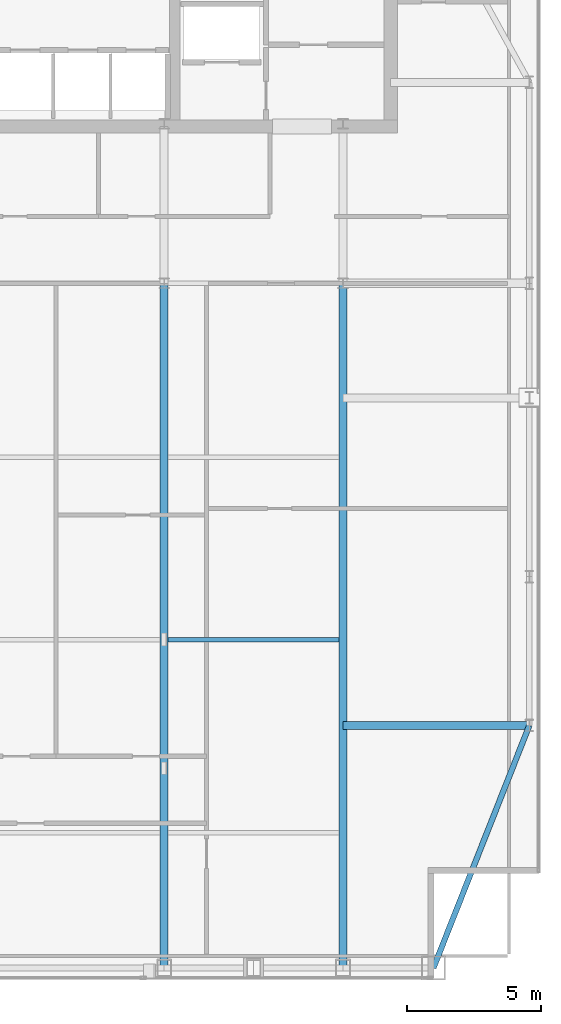
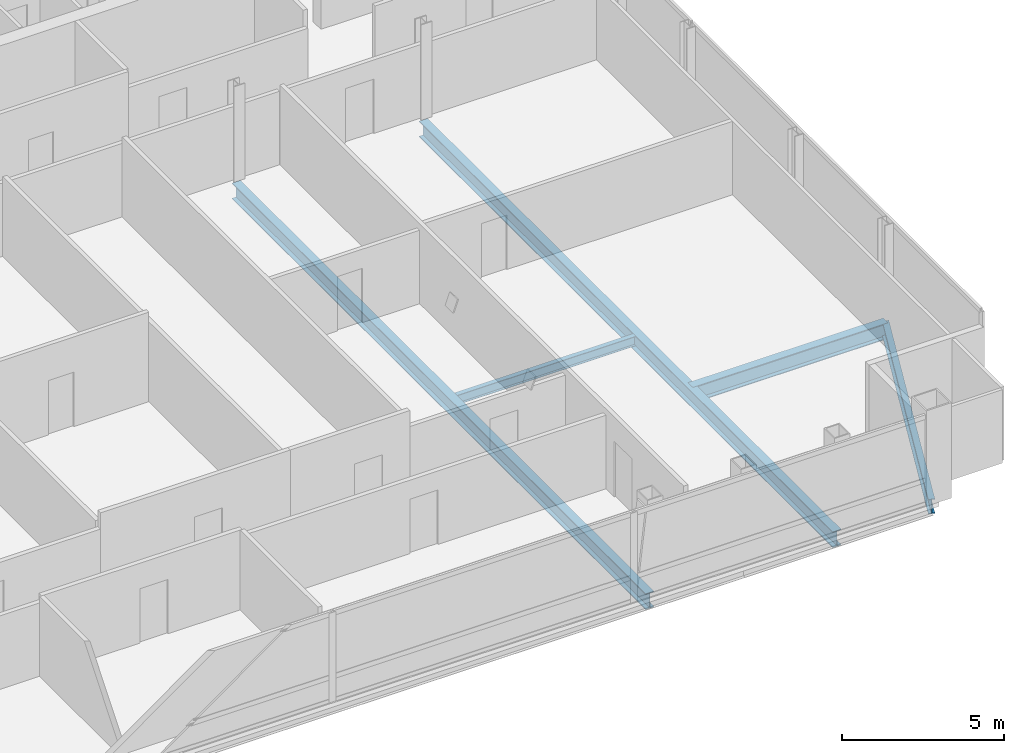
# One storey, part 11 of 24: 5 beams.
"""IFC4 building model written with IfcOpenShell, lengths in metres."""

import ifcopenshell
import ifcopenshell.guid

model = None  # the IFC model being written
_history = None  # IfcOwnerHistory: only IFC2X3 demands one
_inside = {}  # id of a spatial element -> (the spatial element, [elements in it])
_under = {}  # id of a project, library or spatial element -> (it, [spatial elements below it])
_declared = {}  # id of a project -> (the project, [libraries it declares])
_typed = {}  # id of a type object -> (the type object, [elements of that type])
_made_of = {}  # id of a material, layer set ... -> (it, [elements and type objects made of it])


def new_model(schema):
    """Start an empty IFC model of exactly this schema.

    Asked for "IFC4X3", IfcOpenShell would pick the latest addendum, in which some entities
    have other attributes; the version numbers below select the first issue.
    IFC2X3 requires an IfcOwnerHistory on every rooted entity: one is made here for all.
    """
    global model, _history
    if schema == "IFC4X3":
        model = ifcopenshell.file(schema_version=(4, 3, 0, 0))
    else:
        model = ifcopenshell.file(schema=schema)
    _inside.clear()
    _under.clear()
    _declared.clear()
    _typed.clear()
    _made_of.clear()
    _history = None
    if model.schema == "IFC2X3":
        org = make("IfcOrganization", Name="unknown")
        user = make(
            "IfcPersonAndOrganization",
            ThePerson=make("IfcPerson", FamilyName="unknown"),
            TheOrganization=org,
        )
        app = make(
            "IfcApplication",
            ApplicationDeveloper=org,
            Version="unknown",
            ApplicationFullName="unknown",
            ApplicationIdentifier="unknown",
        )
        _history = make(
            "IfcOwnerHistory",
            OwningUser=user,
            OwningApplication=app,
            ChangeAction="ADDED",
            CreationDate=0,
        )
    return model


def make(cls, **values):
    """One entity of the class cls with the attributes given. An attribute that is None is left unset."""
    return model.create_entity(
        cls, **{name: value for name, value in values.items() if value is not None}
    )


def rooted(cls, **values):
    """An entity with a GlobalId (a new one), such as an element, a storey or a relation."""
    return make(cls, GlobalId=ifcopenshell.guid.new(), OwnerHistory=_history, **values)


def si_unit(unit_type, name, prefix=None):
    """IfcSIUnit, for example si_unit("LENGTHUNIT", "METRE", prefix="MILLI")."""
    return make("IfcSIUnit", UnitType=unit_type, Prefix=prefix, Name=name)


def assignment(units):
    """IfcUnitAssignment: the units of a project."""
    return None if units is None else make("IfcUnitAssignment", Units=units)


def point(xyz):
    """IfcCartesianPoint."""
    return None if xyz is None else make("IfcCartesianPoint", Coordinates=xyz)


def direction(xyz):
    """IfcDirection."""
    return None if xyz is None else make("IfcDirection", DirectionRatios=xyz)


def frame(location, z_axis=None, x_axis=None):
    """IfcAxis2Placement3D, a coordinate frame: its origin and axes. An axis left out is left unset."""
    return make(
        "IfcAxis2Placement3D",
        Location=point(location),
        Axis=direction(z_axis),
        RefDirection=direction(x_axis),
    )


def frame_2d(location, x_axis=None):
    """IfcAxis2Placement2D, a coordinate frame in the plane: its origin and x axis."""
    return make(
        "IfcAxis2Placement2D", Location=point(location), RefDirection=direction(x_axis)
    )


def origin():
    """The frame at (0, 0, 0) with its axes left unset."""
    return frame((0.0, 0.0, 0.0))


def origin_2d():
    """The frame at (0, 0) in the plane with its x axis left unset."""
    return frame_2d((0.0, 0.0))


def place(relative_to, where):
    """IfcLocalPlacement: puts the frame where relative to a parent placement (None: the world)."""
    return make(
        "IfcLocalPlacement", PlacementRelTo=relative_to, RelativePlacement=where
    )


def context(
    kind, dimensions, precision=None, world=None, true_north=None, identifier=None
):
    """IfcGeometricRepresentationContext, for example the 3D "Model" context."""
    return make(
        "IfcGeometricRepresentationContext",
        ContextIdentifier=identifier,
        ContextType=kind,
        CoordinateSpaceDimension=dimensions,
        Precision=precision,
        WorldCoordinateSystem=world,
        TrueNorth=true_north,
    )


def subcontext(parent, identifier, kind, view, scale=None):
    """IfcGeometricRepresentationSubContext, for example "Body" below "Model"."""
    return make(
        "IfcGeometricRepresentationSubContext",
        ContextIdentifier=identifier,
        ContextType=kind,
        ParentContext=parent,
        TargetScale=scale,
        TargetView=view,
    )


def project(units=None, contexts=None):
    """IfcProject with its units and contexts."""
    return rooted(
        "IfcProject",
        Name="project",
        RepresentationContexts=contexts,
        UnitsInContext=assignment(units),
    )


def spatial(cls, under=None, at=None, **own):
    """A site, building, storey or space (cls), placed at a placement, below another one or the project."""
    s = rooted(cls, ObjectPlacement=at, **own)
    if under is not None:
        _under.setdefault(under.id(), (under, []))[1].append(s)
    return s


def profile(cls, at=None, kind="AREA", **sizes):
    """A parametric profile (cls). Its sizes go by their IFC names, for example OverallWidth=200.0."""
    return make(cls, ProfileType=kind, Position=at, **sizes)


def i_section(**sizes):
    """IfcIShapeProfileDef."""
    return profile("IfcIShapeProfileDef", **sizes)


def extrude(swept, where, along, depth):
    """IfcExtrudedAreaSolid: the profile swept, set in the frame where, extruded along a direction by depth."""
    return make(
        "IfcExtrudedAreaSolid",
        SweptArea=swept,
        Position=where,
        ExtrudedDirection=direction(along),
        Depth=depth,
    )


def shape(context_of_items, identifier, shape_type, items):
    """IfcShapeRepresentation: the items that make up one representation, for example the "Body"."""
    return make(
        "IfcShapeRepresentation",
        ContextOfItems=context_of_items,
        RepresentationIdentifier=identifier,
        RepresentationType=shape_type,
        Items=items,
    )


def material(Name=None, Category=None):
    """IfcMaterial."""
    return make("IfcMaterial", Name=Name, Category=Category)


def material_profile(
    of_material, cross_section, Name=None, Category=None, Priority=None
):
    """IfcMaterialProfile: a cross section and its material."""
    return make(
        "IfcMaterialProfile",
        Name=Name,
        Material=of_material,
        Profile=cross_section,
        Priority=Priority,
        Category=Category,
    )


def profile_set(profiles, Name=None, composite=None):
    """IfcMaterialProfileSet."""
    return make(
        "IfcMaterialProfileSet",
        Name=Name,
        MaterialProfiles=profiles,
        CompositeProfile=composite,
    )


def made_of(thing, what):
    """Note that an element or type object is made of a material, layer set ...; save() writes the relation."""
    if what is not None:
        _made_of.setdefault(what.id(), (what, []))[1].append(thing)
    return thing


def type_object(cls, material=None, **own):
    """A type object (cls), such as IfcWallType, which elements share."""
    return made_of(rooted(cls, **own), material)


def element(
    cls,
    number,
    at=None,
    inside=None,
    cuts=None,
    type_object=None,
    material=None,
    context=None,
    identifier="Body",
    shape_type=None,
    held_by="IfcProductDefinitionShape",
    body=None,
    shapes=None,
    **own,
):
    """One element of the class cls, such as IfcWall. Its Tag is "e" and its number.

    at: its placement. inside: the storey or other place that contains it. cuts: it is an
    opening in that element (IfcRelVoidsElement). A single representation is given by context,
    identifier, shape_type and body (its items); several are given by shapes. held_by: the class
    of the entity that holds the representations. save() writes the other relations.
    """
    e = rooted(cls, Tag="e%d" % number, ObjectPlacement=at, **own)
    if body is not None:
        shapes = [shape(context, identifier, shape_type, body)]
    if shapes is not None:
        e.Representation = make(held_by, Representations=shapes)
    if inside is not None:
        _inside.setdefault(inside.id(), (inside, []))[1].append(e)
    if cuts is not None:
        rooted(
            "IfcRelVoidsElement", RelatingBuildingElement=cuts, RelatedOpeningElement=e
        )
    if type_object is not None:
        _typed.setdefault(type_object.id(), (type_object, []))[1].append(e)
    return made_of(e, material)


def aggregate(whole, parts):
    """IfcRelAggregates: a whole, such as a stair, and the parts it consists of."""
    return rooted("IfcRelAggregates", RelatingObject=whole, RelatedObjects=parts)


def save(model, path):
    """Write the relations noted so far, then the file.

    IfcRelAggregates (storeys below a building ...), IfcRelContainedInSpatialStructure (elements
    in a storey), IfcRelDefinesByType, IfcRelAssociatesMaterial and IfcRelDeclares: one each for
    every whole, place, type object, material and project.
    """
    for whole, parts in _under.values():
        aggregate(whole, parts)
    for where, things in _inside.values():
        rooted(
            "IfcRelContainedInSpatialStructure",
            RelatedElements=things,
            RelatingStructure=where,
        )
    for kind, things in _typed.values():
        rooted("IfcRelDefinesByType", RelatedObjects=things, RelatingType=kind)
    for what, things in _made_of.values():
        rooted("IfcRelAssociatesMaterial", RelatedObjects=things, RelatingMaterial=what)
    for by, libraries in _declared.values():
        rooted("IfcRelDeclares", RelatingContext=by, RelatedDefinitions=libraries)
    model.write(path)


model = new_model("IFC4")

# Units and contexts
model_context = context("Model", 3, precision=1e-05, world=origin(), true_north=direction((0.0, 1.0)))
body_context = subcontext(model_context, "Body", "Model", "MODEL_VIEW")
ifc_project = project(units=[si_unit("LENGTHUNIT", "METRE"), si_unit("AREAUNIT", "SQUARE_METRE"), si_unit("VOLUMEUNIT", "CUBIC_METRE"), si_unit("PLANEANGLEUNIT", "RADIAN"), si_unit("MASSUNIT", "GRAM", prefix="KILO")], contexts=[model_context])

# Site, building, storey
site_placement = place(None, origin())
site = spatial("IfcSite", under=ifc_project, at=site_placement, CompositionType="ELEMENT")
building_placement = place(site_placement, origin())
building = spatial("IfcBuilding", under=site, at=building_placement, Name="Khoronbel Lancet Exchange", CompositionType="ELEMENT")
storey_placement = place(building_placement, frame((0.0, 0.0, 347.0)))
storey = spatial("IfcBuildingStorey", under=building, at=storey_placement, Name="L90", CompositionType="ELEMENT", Elevation=347.0)

# Beams
ifc_material = material(Name="Steel S355", Category="steel")
ifc_material_profile_1 = material_profile(ifc_material, i_section(OverallWidth=0.300048828125, OverallDepth=0.60009765625, WebThickness=0.015380859375, FlangeThickness=0.030029296875, at=origin_2d()), Name="HEB 600")
ifc_profile_set_1 = profile_set([ifc_material_profile_1], Name="Steel S355")
beam_type_1 = type_object("IfcBeamType", Name="BM-BG5", PredefinedType="BEAM", material=ifc_profile_set_1)
for number, where, z_axis, x_axis, name in (
    (1, (48.0, 10.14990234375, -0.4599609375), (0.0, 1.0, 0.0), (-1.0, 0.0, 0.0), "Level L90 south primary girder GS5"),
    (2, (54.675048828125, 10.14990234375, -0.4599609375), (0.0, 1.0, 0.0), (-1.0, 0.0, 0.0), "Level L90 south primary girder GS6"),
):
    element("IfcBeam", number, at=place(storey_placement, frame(where, z_axis=z_axis, x_axis=x_axis)), inside=storey, type_object=beam_type_1, Name=name, PredefinedType="BEAM", context=body_context, shape_type="SweptSolid", body=[
        extrude(i_section(OverallWidth=0.300048828125, OverallDepth=0.60009765625, WebThickness=0.015380859375, FlangeThickness=0.030029296875, at=origin_2d()), origin(), (0.0, 0.0, 1.0), 25.550048828125),
    ])
beam_1_placement = place(storey_placement, frame((54.675048828125, 19.199951171875, -0.4599609375), z_axis=(1.0, 0.0, 0.0), x_axis=(0.0, 1.0, 0.0)))
element("IfcBeam", 3, at=beam_1_placement, inside=storey, type_object=beam_type_1, Name="Level L90 east lens tie girder LG1E", PredefinedType="BEAM", context=body_context, shape_type="SweptSolid", body=[
    extrude(i_section(OverallWidth=0.300048828125, OverallDepth=0.60009765625, WebThickness=0.015380859375, FlangeThickness=0.030029296875, at=origin_2d()), origin(), (0.0, 0.0, 1.0), 6.954833984375),
])
ifc_material_profile_2 = material_profile(ifc_material, i_section(OverallWidth=0.169921875, OverallDepth=0.360107421875, WebThickness=0.008056640625, FlangeThickness=0.0126953125, at=origin_2d()), Name="IPE 360")
ifc_profile_set_2 = profile_set([ifc_material_profile_2], Name="Steel S355")
beam_type_2 = type_object("IfcBeamType", Name="BM-BJ6", PredefinedType="JOIST", material=ifc_profile_set_2)
beam_2_placement = place(storey_placement, frame((48.14990234375, 22.39990234375, -0.340087890625), z_axis=(1.0, 0.0, 0.0), x_axis=(0.0, 1.0, 0.0)))
element("IfcBeam", 4, at=beam_2_placement, inside=storey, type_object=beam_type_2, Name="Level L90 secondary composite joist J06", PredefinedType="JOIST", context=body_context, shape_type="SweptSolid", body=[
    extrude(i_section(OverallWidth=0.169921875, OverallDepth=0.360107421875, WebThickness=0.008056640625, FlangeThickness=0.0126953125, at=origin_2d()), origin(), (0.0, 0.0, 1.0), 6.375),
])
ifc_material_profile_3 = material_profile(ifc_material, i_section(OverallWidth=0.2099609375, OverallDepth=0.550048828125, WebThickness=0.010986328125, FlangeThickness=0.01708984375, at=origin_2d()), Name="IPE 550")
ifc_profile_set_3 = profile_set([ifc_material_profile_3], Name="Steel S355")
beam_type_3 = type_object("IfcBeamType", Name="BM-BSP3", PredefinedType="SPANDREL", material=ifc_profile_set_3)
beam_3_placement = place(storey_placement, frame((58.050048828125, 10.14990234375, -0.43505859375), z_axis=(0.367828403855, 0.929893684954, 0.0), x_axis=(-0.929893684954, 0.367828403855, 0.0)))
element("IfcBeam", 5, at=beam_3_placement, inside=storey, type_object=beam_type_3, Name="Level L90 perimeter spandrel beam SP08", PredefinedType="SPANDREL", context=body_context, shape_type="SweptSolid", body=[
    extrude(i_section(OverallWidth=0.2099609375, OverallDepth=0.550048828125, WebThickness=0.010986328125, FlangeThickness=0.01708984375, at=origin_2d()), origin(), (0.0, 0.0, 1.0), 9.732421875),
])

save(model, "model.ifc")
